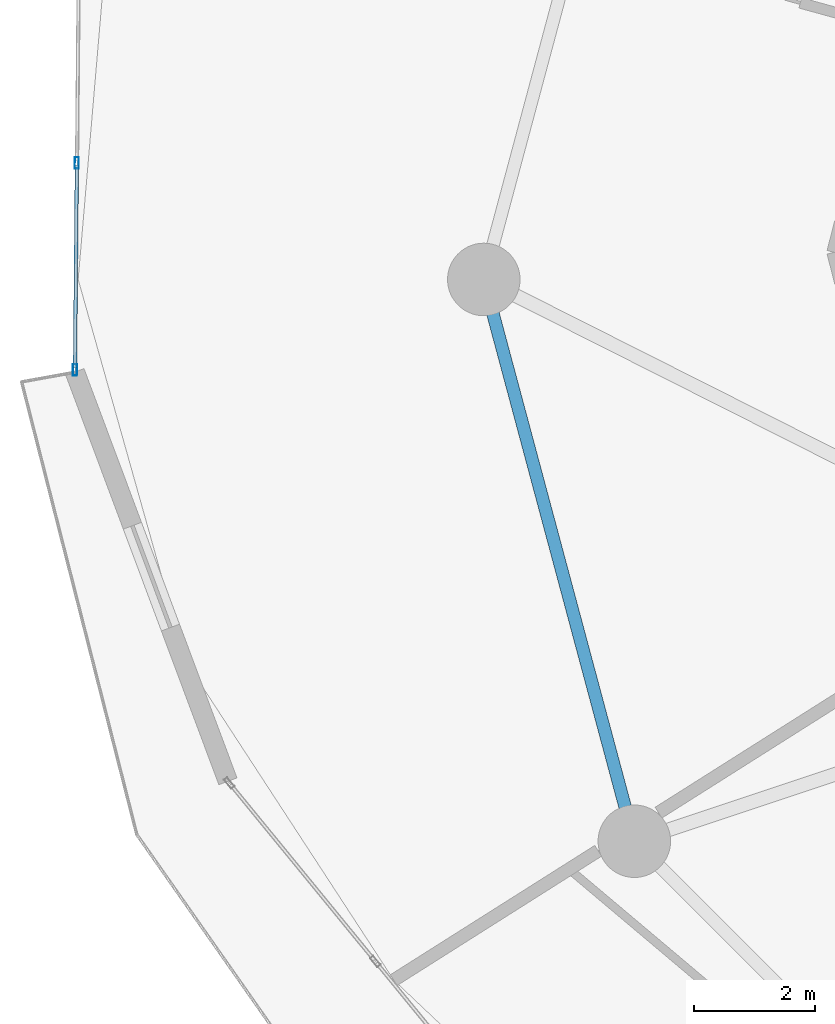
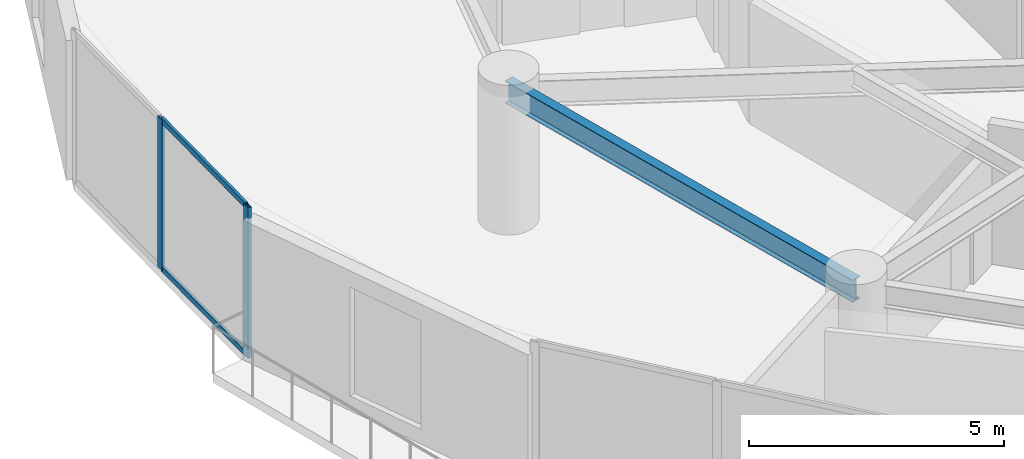
# One storey, part 4 of 20: 4 members, 1 beam, 1 element without a shape of its own.
"""IFC4 building model written with IfcOpenShell, lengths in metres."""

from ifc_helpers import new_model, si_unit, direction, frame, origin, origin_2d, place, context, subcontext, project, spatial, hollow_rectangle, i_section, extrude, source, transform, mapped, material, layer, layer_set, material_profile, profile_set, type_object, element, aggregate, save


model = new_model("IFC4")

# Units and contexts
model_context = context("Model", 3, precision=1e-05, world=origin(), true_north=direction((0.0, 1.0)))
body_context = subcontext(model_context, "Body", "Model", "MODEL_VIEW")
ifc_project = project(units=[si_unit("LENGTHUNIT", "METRE"), si_unit("AREAUNIT", "SQUARE_METRE"), si_unit("VOLUMEUNIT", "CUBIC_METRE"), si_unit("PLANEANGLEUNIT", "RADIAN"), si_unit("MASSUNIT", "GRAM", prefix="KILO")], contexts=[model_context])

# Site, building, storey
site_placement = place(None, origin())
site = spatial("IfcSite", under=ifc_project, at=site_placement, CompositionType="ELEMENT")
building_placement = place(site_placement, origin())
building = spatial("IfcBuilding", under=site, at=building_placement, Name="Solvirekh Grand Hotel", CompositionType="ELEMENT")
storey_placement = place(building_placement, frame((0.0, 0.0, 50.0)))
storey = spatial("IfcBuildingStorey", under=building, at=storey_placement, Name="L11", CompositionType="ELEMENT", Elevation=50.0)

# Beam
ifc_material_1 = material(Name="Steel S355", Category="steel")
ifc_material_profile_1 = material_profile(ifc_material_1, i_section(OverallWidth=0.208984375, OverallDepth=0.532958984375, WebThickness=0.010009765625, FlangeThickness=0.014892578125, FilletRadius=0.013916015625, at=origin_2d()), Name="W530X92")
ifc_profile_set_1 = profile_set([ifc_material_profile_1], Name="Steel S355")
beam_type = type_object("IfcBeamType", Name="Spandrel_Ring_W530", PredefinedType="SPANDREL", material=ifc_profile_set_1)
beam_placement = place(storey_placement, frame((-18.60009765625, 0.0, 3.073974609375), z_axis=(0.258842973314, -0.965919414426, 0.0), x_axis=(0.965919414426, 0.258842973314, 0.0)))
element("IfcBeam", 1, at=beam_placement, inside=storey, type_object=beam_type, Name="L11 perimeter spandrel beam 7", PredefinedType="SPANDREL", context=body_context, shape_type="SweptSolid", body=[
    extrude(i_section(OverallWidth=0.208984375, OverallDepth=0.532958984375, WebThickness=0.010009765625, FlangeThickness=0.014892578125, FilletRadius=0.013916015625, at=origin_2d()), origin(), (0.0, 0.0, 1.0), 9.628173828125),
])

# Curtain wall, members
ifc_material_2 = material(Name="Anodized Bronze Aluminium 6063-T6", Category="aluminium")
ifc_layer = layer(ifc_material_2, 0.18994140625)
ifc_layer_set = layer_set([ifc_layer], Name="Anodized Bronze Aluminium 6063-T6")
curtain_wall_type = type_object("IfcCurtainWallType", Name="CW_Sys2_LowZoneFlushBronzeCW", PredefinedType="NOTDEFINED", material=ifc_layer_set)
curtain_wall_placement = place(storey_placement, origin())
curtain_wall = element("IfcCurtainWall", 2, at=curtain_wall_placement, inside=storey, type_object=curtain_wall_type, Name="L11 unitised bronze-glass curtain wall CW-L11-C11", PredefinedType="NOTDEFINED")
ifc_material_profile_2 = material_profile(ifc_material_2, hollow_rectangle(XDim=0.070068359375, YDim=0.18994140625, WallThickness=0.0048828125, at=origin_2d()), Name="ALU RHS 190X70X5")
ifc_profile_set_2 = profile_set([ifc_material_profile_2], Name="Anodized Bronze Aluminium 6063-T6")
member_type_1 = type_object("IfcMemberType", Name="CWMullion_Sys2", PredefinedType="MULLION", material=ifc_profile_set_2)
shared_shape_1 = source(origin(), body_context, "Body", "SweptSolid", [
    extrude(hollow_rectangle(XDim=0.070068359375, YDim=0.18994140625, WallThickness=0.0048828125, at=origin_2d()), origin(), (0.0, 0.0, 1.0), 3.60009765625),
])
member_1_placement = place(storey_placement, frame((-25.33740234375, 1.929443359375, 0.0), z_axis=(0.0, 0.0, 1.0), x_axis=(0.999958620562, -0.00909709647, 0.0)))
member_1 = element("IfcMember", 3, at=member_1_placement, type_object=member_type_1, Name="U02 mullion 2", PredefinedType="MULLION", context=body_context, shape_type="MappedRepresentation", body=[
    mapped(shared_shape_1, transform((0.0, 0.0, 0.0), x_axis=(1.0, 0.0, 0.0), y_axis=(0.0, 1.0, 0.0), z_axis=(0.0, 0.0, 1.0), scale=1.0)),
])
member_2_placement = place(storey_placement, frame((-25.36865234375, -1.498046875, 0.0), z_axis=(0.0, 0.0, 1.0), x_axis=(0.999958620562, -0.00909709647, 0.0)))
member_2 = element("IfcMember", 4, at=member_2_placement, type_object=member_type_1, Name="U02 mullion 3", PredefinedType="MULLION", context=body_context, shape_type="MappedRepresentation", body=[
    mapped(shared_shape_1, transform((0.0, 0.0, 0.0), x_axis=(1.0, 0.0, 0.0), y_axis=(0.0, 1.0, 0.0), z_axis=(0.0, 0.0, 1.0), scale=1.0)),
])
ifc_material_profile_3 = material_profile(ifc_material_2, hollow_rectangle(XDim=0.06005859375, YDim=0.135009765625, WallThickness=0.00390625, at=origin_2d()), Name="ALU RHS 135X60X4")
ifc_profile_set_3 = profile_set([ifc_material_profile_3], Name="Anodized Bronze Aluminium 6063-T6")
member_type_2 = type_object("IfcMemberType", Name="CWTransom_Sys2", PredefinedType="USERDEFINED", material=ifc_profile_set_3)
shared_shape_2 = source(origin(), body_context, "Body", "SweptSolid", [
    extrude(hollow_rectangle(XDim=0.06005859375, YDim=0.135009765625, WallThickness=0.00390625, at=origin_2d()), origin(), (0.0, 0.0, 1.0), 3.357666015625),
])
member_3_placement = place(storey_placement, frame((-25.337890625, 1.89453125, 0.030029296875), z_axis=(-0.009089211499, -0.999958692264, 0.0), x_axis=(0.999958692264, -0.009089211499, 0.0)))
member_3 = element("IfcMember", 5, at=member_3_placement, type_object=member_type_2, Name="U02 transom 2.1", ObjectType="TRANSOM", PredefinedType="USERDEFINED", context=body_context, shape_type="MappedRepresentation", body=[
    mapped(shared_shape_2, transform((0.0, 0.0, 0.0), x_axis=(1.0, 0.0, 0.0), y_axis=(0.0, 1.0, 0.0), z_axis=(0.0, 0.0, 1.0), scale=1.0)),
])
member_4_placement = place(storey_placement, frame((-25.337890625, 1.89453125, 3.570068359375), z_axis=(-0.009089211499, -0.999958692264, 0.0), x_axis=(0.999958692264, -0.009089211499, 0.0)))
member_4 = element("IfcMember", 6, at=member_4_placement, type_object=member_type_2, Name="U02 transom 2.2", ObjectType="TRANSOM", PredefinedType="USERDEFINED", context=body_context, shape_type="MappedRepresentation", body=[
    mapped(shared_shape_2, transform((0.0, 0.0, 0.0), x_axis=(1.0, 0.0, 0.0), y_axis=(0.0, 1.0, 0.0), z_axis=(0.0, 0.0, 1.0), scale=1.0)),
])
aggregate(curtain_wall, [member_1, member_2, member_3, member_4])

save(model, "model.ifc")
